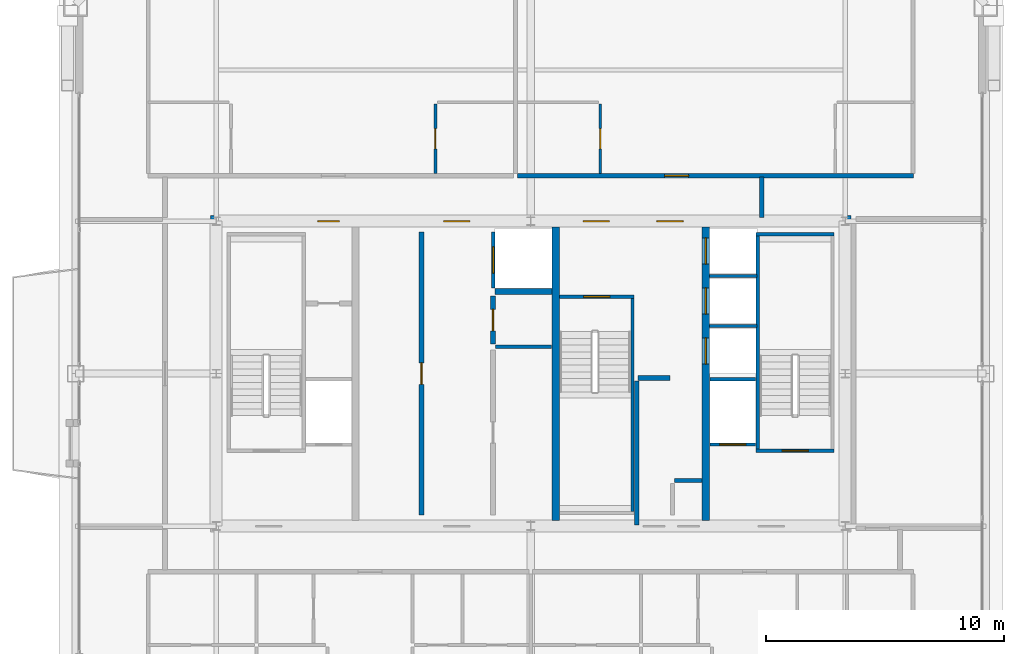
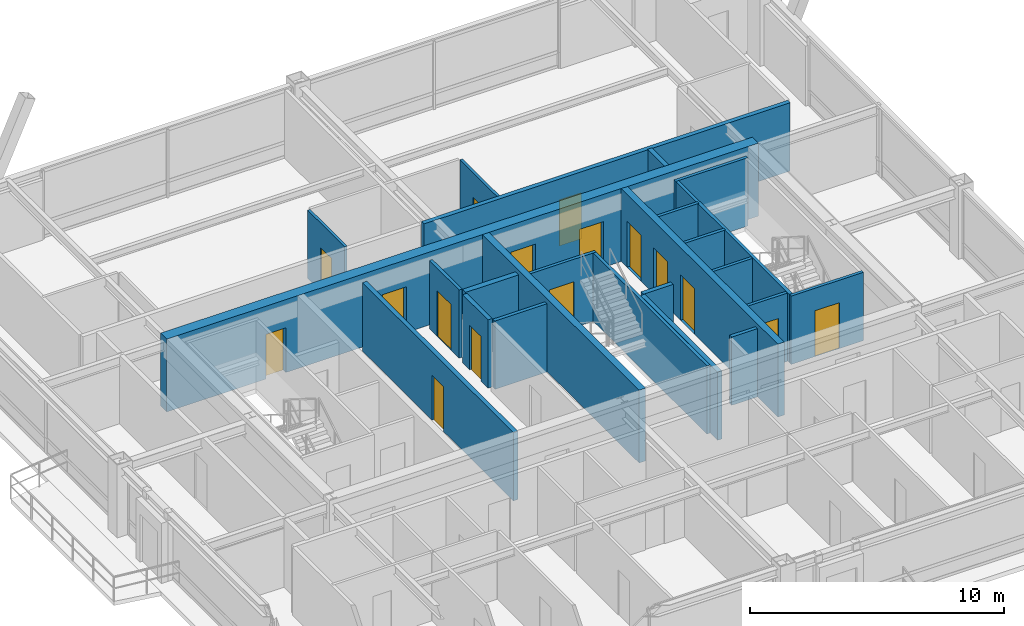
# One storey, part 30 of 33: 24 walls, 16 doors, 16 openings.
"""IFC4 building model written with IfcOpenShell, lengths in metres."""

from ifc_helpers import new_model, si_unit, direction, frame, frame_2d, origin, place, context, subcontext, project, spatial, rectangle, extrude, source, transform, mapped, material, layer, layer_set, type_object, element, fill, save


model = new_model("IFC4")

# Units and contexts
model_context = context("Model", 3, precision=1e-05, world=origin(), true_north=direction((0.0, 1.0)))
body_context = subcontext(model_context, "Body", "Model", "MODEL_VIEW")
ifc_project = project(units=[si_unit("LENGTHUNIT", "METRE"), si_unit("AREAUNIT", "SQUARE_METRE"), si_unit("VOLUMEUNIT", "CUBIC_METRE"), si_unit("PLANEANGLEUNIT", "RADIAN"), si_unit("MASSUNIT", "GRAM", prefix="KILO"), si_unit("THERMODYNAMICTEMPERATUREUNIT", "KELVIN"), si_unit("POWERUNIT", "WATT")], contexts=[model_context])

# Site, building, storey
site_placement = place(None, origin())
site = spatial("IfcSite", under=ifc_project, at=site_placement, CompositionType="ELEMENT")
building_placement = place(site_placement, origin())
building = spatial("IfcBuilding", under=site, at=building_placement, Name="Yuzanri Waterfront Tower", CompositionType="ELEMENT")
storey_placement = place(building_placement, frame((0.0, 0.0, 321.699951171875)))
storey = spatial("IfcBuildingStorey", under=building, at=storey_placement, Name="L86", CompositionType="ELEMENT", Elevation=321.699951171875)

# Wall, opening, door
ifc_material_1 = material(Name="Moisture-Resistant Gypsum Stud Wall", Category="gypsum")
ifc_layer_1 = layer(ifc_material_1, 0.1201171875)
ifc_layer_set_1 = layer_set([ifc_layer_1], Name="Moisture-Resistant Gypsum Stud Wall")
wall_type_1 = type_object("IfcWallType", Name="Bathroom and Kitchen Wet Partition 120", PredefinedType="PARTITIONING", material=ifc_layer_set_1)
wall_1_placement = place(storey_placement, frame((32.998046875, 34.2099609375, 0.0), z_axis=(0.0, 0.0, 1.0), x_axis=(0.0, 1.0, 0.0)))
wall_1 = element("IfcWall", 1, at=wall_1_placement, inside=storey, type_object=wall_type_1, Name="L86 Partition UW-L86-HN1-SUB-2-W", PredefinedType="PARTITIONING", context=body_context, shape_type="SweptSolid", body=[
    extrude(rectangle(XDim=2.900146484375, YDim=0.1201171875, at=frame_2d((1.4501953125, 0.0))), origin(), (0.0, 0.0, 1.0), 3.280029296875),
])
opening_1_placement = place(wall_1_placement, frame((1.02490234375, 0.0, 0.0)))
opening_1 = element("IfcOpeningElement", 2, at=opening_1_placement, cuts=wall_1, Name="Opening ID-0850", PredefinedType="OPENING", context=body_context, shape_type="SweptSolid", body=[
    extrude(rectangle(XDim=0.85009765625, YDim=2.10009765625, at=frame_2d((0.425048828125, 1.050048828125))), frame((0.0, 0.074951171875, 0.0), z_axis=(0.0, -1.0, 0.0), x_axis=(1.0, 0.0, 0.0)), (0.0, 0.0, 1.0), 0.14990234375),
])
ifc_material_2 = material(Name="Moisture-Resistant Lacquered Timber", Category="wood")
door_type_1 = type_object("IfcDoorType", Name="En-Suite Bathroom and Kitchen Swing Door 850x2100", OperationType="NOTDEFINED", PredefinedType="DOOR", material=ifc_material_2)
shared_shape_1 = source(origin(), body_context, "Body", "SweptSolid", [
    extrude(rectangle(XDim=0.85009765625, YDim=2.10009765625, at=frame_2d((0.425048828125, 1.050048828125))), frame((0.0, 0.02490234375, 0.0), z_axis=(0.0, -1.0, 0.0), x_axis=(1.0, 0.0, 0.0)), (0.0, 0.0, 1.0), 0.050048828125),
])
door_1_placement = place(opening_1_placement, origin())
door_1 = element("IfcDoor", 3, at=door_1_placement, inside=storey, type_object=door_type_1, Name="L86 Suite Interior Room Door", OperationType="SINGLE_SWING_RIGHT", OverallHeight=2.10009765625, OverallWidth=0.85009765625, PredefinedType="DOOR", context=body_context, shape_type="MappedRepresentation", body=[
    mapped(shared_shape_1, transform((0.0, 0.0, 0.0), scale=1.0)),
])
fill(opening_1, door_1)

wall_2_placement = place(storey_placement, frame((39.91796875, 34.2099609375, 0.0), z_axis=(0.0, 0.0, 1.0), x_axis=(0.0, 1.0, 0.0)))
wall_2 = element("IfcWall", 4, at=wall_2_placement, inside=storey, type_object=wall_type_1, Name="L86 Partition UW-L86-HN2-SUB-1-E", PredefinedType="PARTITIONING", context=body_context, shape_type="SweptSolid", body=[
    extrude(rectangle(XDim=2.900146484375, YDim=0.1201171875, at=frame_2d((1.4501953125, 0.0))), origin(), (0.0, 0.0, 1.0), 3.280029296875),
])
opening_2_placement = place(wall_2_placement, frame((1.02490234375, 0.0, 0.0)))
opening_2 = element("IfcOpeningElement", 5, at=opening_2_placement, cuts=wall_2, Name="Opening ID-0850", PredefinedType="OPENING", context=body_context, shape_type="SweptSolid", body=[
    extrude(rectangle(XDim=0.85009765625, YDim=2.10009765625, at=frame_2d((0.425048828125, 1.050048828125))), frame((0.0, 0.074951171875, 0.0), z_axis=(0.0, -1.0, 0.0), x_axis=(1.0, 0.0, 0.0)), (0.0, 0.0, 1.0), 0.14990234375),
])
door_2_placement = place(opening_2_placement, origin())
door_2 = element("IfcDoor", 6, at=door_2_placement, inside=storey, type_object=door_type_1, Name="L86 Suite Interior Room Door", OperationType="SINGLE_SWING_RIGHT", OverallHeight=2.10009765625, OverallWidth=0.85009765625, PredefinedType="DOOR", context=body_context, shape_type="MappedRepresentation", body=[
    mapped(shared_shape_1, transform((0.0, 0.0, 0.0), scale=1.0)),
])
fill(opening_2, door_2)

# Wall, openings, doors
ifc_material_3 = material(Name="Concrete C45", Category="concrete")
ifc_layer_2 = layer(ifc_material_3, 0.47998046875)
ifc_layer_set_2 = layer_set([ifc_layer_2], Name="Concrete C45")
wall_type_2 = type_object("IfcWallType", Name="Concrete C45 High-Rise Core Shear Wall 480", PredefinedType="SHEAR", material=ifc_layer_set_2)
wall_3_placement = place(storey_placement, frame((23.56005859375, 32.199951171875, 0.0), z_axis=(0.0, 0.0, 1.0), x_axis=(1.0, 0.0, 0.0)))
wall_3 = element("IfcWall", 7, at=wall_3_placement, inside=storey, type_object=wall_type_2, Name="L86 Core North Shear Wall", PredefinedType="SHEAR", context=body_context, shape_type="SweptSolid", body=[
    extrude(rectangle(XDim=26.8798828125, YDim=0.47998046875, at=frame_2d((13.43994140625, 0.0))), origin(), (0.0, 0.0, 1.0), 3.5),
])
opening_3_placement = place(wall_3_placement, frame((4.510009765625, 0.0, 0.0)))
opening_3 = element("IfcOpeningElement", 8, at=opening_3_placement, cuts=wall_3, Name="Opening FD-0900", PredefinedType="OPENING", context=body_context, shape_type="SweptSolid", body=[
    extrude(rectangle(XDim=0.89990234375, YDim=2.14990234375, at=frame_2d((0.449951171875, 1.074951171875))), frame((0.0, 0.2548828125, 0.0), z_axis=(0.0, -1.0, 0.0), x_axis=(1.0, 0.0, 0.0)), (0.0, 0.0, 1.0), 0.509765625),
])
opening_4_placement = place(wall_3_placement, frame((9.7900390625, 0.0, 0.0)))
opening_4 = element("IfcOpeningElement", 9, at=opening_4_placement, cuts=wall_3, Name="Opening FD-1100", PredefinedType="OPENING", context=body_context, shape_type="SweptSolid", body=[
    extrude(rectangle(XDim=1.10009765625, YDim=2.199951171875, at=frame_2d((0.550048828125, 1.10009765625))), frame((0.0, 0.2548828125, 0.0), z_axis=(0.0, -1.0, 0.0), x_axis=(1.0, 0.0, 0.0)), (0.0, 0.0, 1.0), 0.509765625),
])
opening_5_placement = place(wall_3_placement, frame((15.639892578125, 0.0, 0.0)))
opening_5 = element("IfcOpeningElement", 10, at=opening_5_placement, cuts=wall_3, Name="Opening FD-1100", PredefinedType="OPENING", context=body_context, shape_type="SweptSolid", body=[
    extrude(rectangle(XDim=1.10009765625, YDim=2.199951171875, at=frame_2d((0.550048828125, 1.10009765625))), frame((0.0, 0.2548828125, 0.0), z_axis=(0.0, -1.0, 0.0), x_axis=(1.0, 0.0, 0.0)), (0.0, 0.0, 1.0), 0.509765625),
])
opening_6_placement = place(wall_3_placement, frame((18.739990234375, 0.0, 0.0)))
opening_6 = element("IfcOpeningElement", 11, at=opening_6_placement, cuts=wall_3, Name="Opening FD-1100", PredefinedType="OPENING", context=body_context, shape_type="SweptSolid", body=[
    extrude(rectangle(XDim=1.10009765625, YDim=2.199951171875, at=frame_2d((0.550048828125, 1.10009765625))), frame((0.0, 0.2548828125, 0.0), z_axis=(0.0, -1.0, 0.0), x_axis=(1.0, 0.0, 0.0)), (0.0, 0.0, 1.0), 0.509765625),
])
ifc_material_4 = material(Name="Painted Galvanized Fire Steel", Category="steel")
door_type_2 = type_object("IfcDoorType", Name="Smoke-Proof Stair and Lobby Fire Door 1100x2200", OperationType="NOTDEFINED", PredefinedType="DOOR", material=ifc_material_4)
shared_shape_2 = source(origin(), body_context, "Body", "SweptSolid", [
    extrude(rectangle(XDim=1.10009765625, YDim=2.199951171875, at=frame_2d((0.550048828125, 1.10009765625))), frame((0.0, 0.02490234375, 0.0), z_axis=(0.0, -1.0, 0.0), x_axis=(1.0, 0.0, 0.0)), (0.0, 0.0, 1.0), 0.050048828125),
])
door_3_placement = place(opening_4_placement, origin())
door_3 = element("IfcDoor", 12, at=door_3_placement, inside=storey, type_object=door_type_2, Name="L86 Central Lift Lobby North Door", OperationType="SINGLE_SWING_LEFT", OverallHeight=2.199951171875, OverallWidth=1.10009765625, PredefinedType="DOOR", context=body_context, shape_type="MappedRepresentation", body=[
    mapped(shared_shape_2, transform((0.0, 0.0, 0.0), scale=1.0)),
])
fill(opening_4, door_3)
door_4_placement = place(opening_5_placement, origin())
door_4 = element("IfcDoor", 13, at=door_4_placement, inside=storey, type_object=door_type_2, Name="L86 North Stair Lobby Door", OperationType="SINGLE_SWING_RIGHT", OverallHeight=2.199951171875, OverallWidth=1.10009765625, PredefinedType="DOOR", context=body_context, shape_type="MappedRepresentation", body=[
    mapped(shared_shape_2, transform((0.0, 0.0, 0.0), scale=1.0)),
])
fill(opening_5, door_4)
door_5_placement = place(opening_6_placement, origin())
door_5 = element("IfcDoor", 14, at=door_5_placement, inside=storey, type_object=door_type_2, Name="L86 High-Rise Lift Lobby North Door", OperationType="SINGLE_SWING_LEFT", OverallHeight=2.199951171875, OverallWidth=1.10009765625, PredefinedType="DOOR", context=body_context, shape_type="MappedRepresentation", body=[
    mapped(shared_shape_2, transform((0.0, 0.0, 0.0), scale=1.0)),
])
fill(opening_6, door_5)
ifc_material_5 = material(Name="Painted Galvanized Fire Steel", Category="steel")
door_type_3 = type_object("IfcDoorType", Name="Riser and Service Room Fire Door 900x2150", OperationType="NOTDEFINED", PredefinedType="DOOR", material=ifc_material_5)
shared_shape_3 = source(origin(), body_context, "Body", "SweptSolid", [
    extrude(rectangle(XDim=0.89990234375, YDim=2.14990234375, at=frame_2d((0.449951171875, 1.074951171875))), frame((0.0, 0.02490234375, 0.0), z_axis=(0.0, -1.0, 0.0), x_axis=(1.0, 0.0, 0.0)), (0.0, 0.0, 1.0), 0.050048828125),
])
door_6_placement = place(opening_3_placement, origin())
door_6 = element("IfcDoor", 15, at=door_6_placement, inside=storey, type_object=door_type_3, Name="L86 Telecom Riser Door", OperationType="SINGLE_SWING_RIGHT", OverallHeight=2.14990234375, OverallWidth=0.89990234375, PredefinedType="DOOR", context=body_context, shape_type="MappedRepresentation", body=[
    mapped(shared_shape_3, transform((0.0, 0.0, 0.0), scale=1.0)),
])
fill(opening_3, door_6)

ifc_material_6 = material(Name="Concrete C50", Category="concrete")
ifc_layer_3 = layer(ifc_material_6, 0.300048828125)
ifc_layer_set_3 = layer_set([ifc_layer_3], Name="Concrete C50")
wall_type_3 = type_object("IfcWallType", Name="Concrete C50 Internal Core Shaft Structural Wall 300", PredefinedType="SOLIDWALL", material=ifc_layer_set_3)
wall_4_placement = place(storey_placement, frame((44.35009765625, 19.639892578125, 0.0), z_axis=(0.0, 0.0, 1.0), x_axis=(0.0, 1.0, 0.0)))
wall_4 = element("IfcWall", 16, at=wall_4_placement, inside=storey, type_object=wall_type_3, Name="L86 Core Internal Structural Web Wall 3", PredefinedType="SOLIDWALL", context=body_context, shape_type="SweptSolid", body=[
    extrude(rectangle(XDim=12.320068359375, YDim=0.300048828125, at=frame_2d((6.16015625, 0.0))), origin(), (0.0, 0.0, 1.0), 3.5),
])
opening_7_placement = place(wall_4_placement, frame((6.56005859375, 0.0, 0.0)))
opening_7 = element("IfcOpeningElement", 17, at=opening_7_placement, cuts=wall_4, Name="Opening LD-PL-09", PredefinedType="OPENING", context=body_context, shape_type="SweptSolid", body=[
    extrude(rectangle(XDim=1.10009765625, YDim=2.199951171875, at=frame_2d((0.550048828125, 1.10009765625))), frame((0.0, 0.1650390625, 0.0), z_axis=(0.0, -1.0, 0.0), x_axis=(1.0, 0.0, 0.0)), (0.0, 0.0, 1.0), 0.329833984375),
])
opening_8_placement = place(wall_4_placement, frame((8.659912109375, 0.0, 0.0)))
opening_8 = element("IfcOpeningElement", 18, at=opening_8_placement, cuts=wall_4, Name="Opening LD-PL-10", PredefinedType="OPENING", context=body_context, shape_type="SweptSolid", body=[
    extrude(rectangle(XDim=1.10009765625, YDim=2.199951171875, at=frame_2d((0.550048828125, 1.10009765625))), frame((0.0, 0.1650390625, 0.0), z_axis=(0.0, -1.0, 0.0), x_axis=(1.0, 0.0, 0.0)), (0.0, 0.0, 1.0), 0.329833984375),
])
opening_9_placement = place(wall_4_placement, frame((10.760009765625, 0.0, 0.0)))
opening_9 = element("IfcOpeningElement", 19, at=opening_9_placement, cuts=wall_4, Name="Opening LD-PL-11", PredefinedType="OPENING", context=body_context, shape_type="SweptSolid", body=[
    extrude(rectangle(XDim=1.10009765625, YDim=2.199951171875, at=frame_2d((0.550048828125, 1.10009765625))), frame((0.0, 0.1650390625, 0.0), z_axis=(0.0, -1.0, 0.0), x_axis=(1.0, 0.0, 0.0)), (0.0, 0.0, 1.0), 0.329833984375),
])
ifc_material_7 = material(Name="Brushed Bronze and Stainless Steel Cab", Category="steel")
door_type_4 = type_object("IfcDoorType", Name="Center-Parting Bronze Lift Landing Sliding Door 1100x2200", OperationType="NOTDEFINED", PredefinedType="DOOR", material=ifc_material_7)
shared_shape_4 = source(origin(), body_context, "Body", "SweptSolid", [
    extrude(rectangle(XDim=1.10009765625, YDim=2.199951171875, at=frame_2d((0.550048828125, 1.10009765625))), frame((0.0, 0.02490234375, 0.0), z_axis=(0.0, -1.0, 0.0), x_axis=(1.0, 0.0, 0.0)), (0.0, 0.0, 1.0), 0.050048828125),
])
door_7_placement = place(opening_7_placement, origin())
door_7 = element("IfcDoor", 20, at=door_7_placement, inside=storey, type_object=door_type_4, Name="L86 PL-09 Lift Landing Sliding Door", OperationType="SLIDING_TO_LEFT", OverallHeight=2.199951171875, OverallWidth=1.10009765625, PredefinedType="DOOR", context=body_context, shape_type="MappedRepresentation", body=[
    mapped(shared_shape_4, transform((0.0, 0.0, 0.0), scale=1.0)),
])
fill(opening_7, door_7)
door_8_placement = place(opening_8_placement, origin())
door_8 = element("IfcDoor", 21, at=door_8_placement, inside=storey, type_object=door_type_4, Name="L86 PL-10 Lift Landing Sliding Door", OperationType="SLIDING_TO_RIGHT", OverallHeight=2.199951171875, OverallWidth=1.10009765625, PredefinedType="DOOR", context=body_context, shape_type="MappedRepresentation", body=[
    mapped(shared_shape_4, transform((0.0, 0.0, 0.0), scale=1.0)),
])
fill(opening_8, door_8)
door_9_placement = place(opening_9_placement, origin())
door_9 = element("IfcDoor", 22, at=door_9_placement, inside=storey, type_object=door_type_4, Name="L86 PL-11 Lift Landing Sliding Door", OperationType="SLIDING_TO_LEFT", OverallHeight=2.199951171875, OverallWidth=1.10009765625, PredefinedType="DOOR", context=body_context, shape_type="MappedRepresentation", body=[
    mapped(shared_shape_4, transform((0.0, 0.0, 0.0), scale=1.0)),
])
fill(opening_9, door_9)

# Wall, opening, door
ifc_material_8 = material(Name="Concrete C40", Category="concrete")
ifc_layer_4 = layer(ifc_material_8, 0.139892578125)
ifc_layer_set_4 = layer_set([ifc_layer_4], Name="Concrete C40")
wall_type_4 = type_object("IfcWallType", Name="Core Stair Liner and Hoistway Shaft Wall 140", PredefinedType="SOLIDWALL", material=ifc_layer_set_4)
wall_5_placement = place(storey_placement, frame((44.52001953125, 22.830078125, 0.0), z_axis=(0.0, 0.0, 1.0), x_axis=(1.0, 0.0, 0.0)))
wall_5 = element("IfcWall", 23, at=wall_5_placement, inside=storey, type_object=wall_type_4, Name="L86 Lift FL-02 Front Shaft Wall", PredefinedType="SOLIDWALL", context=body_context, shape_type="SweptSolid", body=[
    extrude(rectangle(XDim=1.919921875, YDim=0.139892578125, at=frame_2d((0.9599609375, 0.0))), origin(), (0.0, 0.0, 1.0), 3.280029296875),
])
opening_10_placement = place(wall_5_placement, frame((0.409912109375, 0.0, 0.0)))
opening_10 = element("IfcOpeningElement", 24, at=opening_10_placement, cuts=wall_5, Name="Opening LD-FL-02", PredefinedType="OPENING", context=body_context, shape_type="SweptSolid", body=[
    extrude(rectangle(XDim=1.10009765625, YDim=2.199951171875, at=frame_2d((0.550048828125, 1.10009765625))), frame((0.0, 0.0849609375, 0.0), z_axis=(0.0, -1.0, 0.0), x_axis=(1.0, 0.0, 0.0)), (0.0, 0.0, 1.0), 0.169677734375),
])
door_10_placement = place(opening_10_placement, origin())
door_10 = element("IfcDoor", 25, at=door_10_placement, inside=storey, type_object=door_type_4, Name="L86 FL-02 Lift Landing Sliding Door", OperationType="SLIDING_TO_RIGHT", OverallHeight=2.199951171875, OverallWidth=1.10009765625, PredefinedType="DOOR", context=body_context, shape_type="MappedRepresentation", body=[
    mapped(shared_shape_4, transform((0.0, 0.0, 0.0), scale=1.0)),
])
fill(opening_10, door_10)

wall_6_placement = place(storey_placement, frame((35.429931640625, 29.39990234375, 0.0), z_axis=(0.0, 0.0, 1.0), x_axis=(0.0, 1.0, 0.0)))
wall_6 = element("IfcWall", 26, at=wall_6_placement, inside=storey, type_object=wall_type_4, Name="L86 Lift SL-02 Front Shaft Wall", PredefinedType="SOLIDWALL", context=body_context, shape_type="SweptSolid", body=[
    extrude(rectangle(XDim=2.340087890625, YDim=0.139892578125, at=frame_2d((1.169921875, 0.0))), origin(), (0.0, 0.0, 1.0), 3.280029296875),
])
opening_11_placement = place(wall_6_placement, frame((0.6201171875, 0.0, 0.0)))
opening_11 = element("IfcOpeningElement", 27, at=opening_11_placement, cuts=wall_6, Name="Opening LD-SL-02", PredefinedType="OPENING", context=body_context, shape_type="SweptSolid", body=[
    extrude(rectangle(XDim=1.10009765625, YDim=2.199951171875, at=frame_2d((0.550048828125, 1.10009765625))), frame((0.0, 0.0849609375, 0.0), z_axis=(0.0, -1.0, 0.0), x_axis=(1.0, 0.0, 0.0)), (0.0, 0.0, 1.0), 0.169677734375),
])
door_11_placement = place(opening_11_placement, origin())
door_11 = element("IfcDoor", 28, at=door_11_placement, inside=storey, type_object=door_type_4, Name="L86 SL-02 Lift Landing Sliding Door", OperationType="SLIDING_TO_RIGHT", OverallHeight=2.199951171875, OverallWidth=1.10009765625, PredefinedType="DOOR", context=body_context, shape_type="MappedRepresentation", body=[
    mapped(shared_shape_4, transform((0.0, 0.0, 0.0), scale=1.0)),
])
fill(opening_11, door_11)

wall_7_placement = place(storey_placement, frame((46.4599609375, 22.570068359375, 0.0), z_axis=(0.0, 0.0, 1.0), x_axis=(1.0, 0.0, 0.0)))
wall_7 = element("IfcWall", 29, at=wall_7_placement, inside=storey, type_object=wall_type_4, Name="L86 Shaft Wall STW-L86-ST-02-S", PredefinedType="SOLIDWALL", context=body_context, shape_type="SweptSolid", body=[
    extrude(rectangle(XDim=3.280029296875, YDim=0.139892578125, at=frame_2d((1.64013671875, 0.0))), origin(), (0.0, 0.0, 1.0), 3.280029296875),
])
opening_12_placement = place(wall_7_placement, frame((1.090087890625, 0.0, 0.0)))
opening_12 = element("IfcOpeningElement", 30, at=opening_12_placement, cuts=wall_7, Name="Opening FD-1100", PredefinedType="OPENING", context=body_context, shape_type="SweptSolid", body=[
    extrude(rectangle(XDim=1.10009765625, YDim=2.199951171875, at=frame_2d((0.550048828125, 1.10009765625))), frame((0.0, 0.0849609375, 0.0), z_axis=(0.0, -1.0, 0.0), x_axis=(1.0, 0.0, 0.0)), (0.0, 0.0, 1.0), 0.169677734375),
])
door_12_placement = place(opening_12_placement, origin())
door_12 = element("IfcDoor", 31, at=door_12_placement, inside=storey, type_object=door_type_2, Name="L86 Stair ST-02 Fire Door", OperationType="SINGLE_SWING_LEFT", OverallHeight=2.199951171875, OverallWidth=1.10009765625, PredefinedType="DOOR", context=body_context, shape_type="MappedRepresentation", body=[
    mapped(shared_shape_2, transform((0.0, 0.0, 0.0), scale=1.0)),
])
fill(opening_12, door_12)

wall_8_placement = place(storey_placement, frame((38.199951171875, 29.030029296875, 0.0), z_axis=(0.0, 0.0, 1.0), x_axis=(1.0, 0.0, 0.0)))
wall_8 = element("IfcWall", 32, at=wall_8_placement, inside=storey, type_object=wall_type_4, Name="L86 Shaft Wall STW-L86-ST-03-N", PredefinedType="SOLIDWALL", context=body_context, shape_type="SweptSolid", body=[
    extrude(rectangle(XDim=3.14013671875, YDim=0.139892578125, at=frame_2d((1.570068359375, 0.0))), origin(), (0.0, 0.0, 1.0), 3.280029296875),
])
opening_13_placement = place(wall_8_placement, frame((1.02001953125, 0.0, 0.0)))
opening_13 = element("IfcOpeningElement", 33, at=opening_13_placement, cuts=wall_8, Name="Opening FD-1100", PredefinedType="OPENING", context=body_context, shape_type="SweptSolid", body=[
    extrude(rectangle(XDim=1.10009765625, YDim=2.199951171875, at=frame_2d((0.550048828125, 1.10009765625))), frame((0.0, 0.0849609375, 0.0), z_axis=(0.0, -1.0, 0.0), x_axis=(1.0, 0.0, 0.0)), (0.0, 0.0, 1.0), 0.169677734375),
])
door_13_placement = place(opening_13_placement, origin())
door_13 = element("IfcDoor", 34, at=door_13_placement, inside=storey, type_object=door_type_2, Name="L86 Stair ST-03 Fire Door", OperationType="SINGLE_SWING_RIGHT", OverallHeight=2.199951171875, OverallWidth=1.10009765625, PredefinedType="DOOR", context=body_context, shape_type="MappedRepresentation", body=[
    mapped(shared_shape_2, transform((0.0, 0.0, 0.0), scale=1.0)),
])
fill(opening_13, door_13)

ifc_material_9 = material(Name="Autoclaved Aerated Concrete Blockwork", Category="masonry")
ifc_layer_5 = layer(ifc_material_9, 0.199951171875)
ifc_layer_set_5 = layer_set([ifc_layer_5], Name="Autoclaved Aerated Concrete Blockwork")
wall_type_5 = type_object("IfcWallType", Name="Corridor and Unit Party Fire Wall 200", PredefinedType="PARTITIONING", material=ifc_layer_set_5)
wall_9_placement = place(storey_placement, frame((32.419921875, 19.860107421875, 0.0), z_axis=(0.0, 0.0, 1.0), x_axis=(0.0, 1.0, 0.0)))
wall_9 = element("IfcWall", 35, at=wall_9_placement, inside=storey, type_object=wall_type_5, Name="L86 Partition CRW-L86-B1R-1", PredefinedType="PARTITIONING", context=body_context, shape_type="SweptSolid", body=[
    extrude(rectangle(XDim=11.8798828125, YDim=0.199951171875, at=frame_2d((5.93994140625, 0.0))), origin(), (0.0, 0.0, 1.0), 3.280029296875),
])
opening_14_placement = place(wall_9_placement, frame((5.489990234375, 0.0, 0.0)))
opening_14 = element("IfcOpeningElement", 36, at=opening_14_placement, cuts=wall_9, Name="Opening FD-0900", PredefinedType="OPENING", context=body_context, shape_type="SweptSolid", body=[
    extrude(rectangle(XDim=0.89990234375, YDim=2.14990234375, at=frame_2d((0.449951171875, 1.074951171875))), frame((0.0, 0.11474609375, 0.0), z_axis=(0.0, -1.0, 0.0), x_axis=(1.0, 0.0, 0.0)), (0.0, 0.0, 1.0), 0.229736328125),
])
door_14_placement = place(opening_14_placement, origin())
door_14 = element("IfcDoor", 37, at=door_14_placement, inside=storey, type_object=door_type_3, Name="L86 Private Store Room", OperationType="SINGLE_SWING_LEFT", OverallHeight=2.14990234375, OverallWidth=0.89990234375, PredefinedType="DOOR", context=body_context, shape_type="MappedRepresentation", body=[
    mapped(shared_shape_3, transform((0.0, 0.0, 0.0), scale=1.0)),
])
fill(opening_14, door_14)

wall_10_placement = place(storey_placement, frame((35.419921875, 27.050048828125, 0.0), z_axis=(0.0, 0.0, 1.0), x_axis=(0.0, 1.0, 0.0)))
wall_10 = element("IfcWall", 38, at=wall_10_placement, inside=storey, type_object=wall_type_5, Name="L86 Partition CRW-L86-B2R-2", PredefinedType="PARTITIONING", context=body_context, shape_type="SweptSolid", body=[
    extrude(rectangle(XDim=2.0, YDim=0.199951171875, at=frame_2d((1.0, 0.0))), origin(), (0.0, 0.0, 1.0), 3.280029296875),
])
opening_15_placement = place(wall_10_placement, frame((0.550048828125, 0.0, 0.0)))
opening_15 = element("IfcOpeningElement", 39, at=opening_15_placement, cuts=wall_10, Name="Opening FD-0900", PredefinedType="OPENING", context=body_context, shape_type="SweptSolid", body=[
    extrude(rectangle(XDim=0.89990234375, YDim=2.14990234375, at=frame_2d((0.449951171875, 1.074951171875))), frame((0.0, 0.11474609375, 0.0), z_axis=(0.0, -1.0, 0.0), x_axis=(1.0, 0.0, 0.0)), (0.0, 0.0, 1.0), 0.229736328125),
])
door_15_placement = place(opening_15_placement, origin())
door_15 = element("IfcDoor", 40, at=door_15_placement, inside=storey, type_object=door_type_3, Name="L86 Service Duct Shaft", OperationType="SINGLE_SWING_LEFT", OverallHeight=2.14990234375, OverallWidth=0.89990234375, PredefinedType="DOOR", context=body_context, shape_type="MappedRepresentation", body=[
    mapped(shared_shape_3, transform((0.0, 0.0, 0.0), scale=1.0)),
])
fill(opening_15, door_15)

wall_11_placement = place(storey_placement, frame((36.43798828125, 34.110107421875, 0.0), z_axis=(0.0, 0.0, 1.0), x_axis=(1.0, 0.0, 0.0)))
wall_11 = element("IfcWall", 41, at=wall_11_placement, inside=storey, type_object=wall_type_5, Name="L86 Partition UW-L86-HN2-CS", PredefinedType="PARTITIONING", context=body_context, shape_type="SweptSolid", body=[
    extrude(rectangle(XDim=16.6220703125, YDim=0.199951171875, at=frame_2d((8.31103515625, 0.0))), origin(), (0.0, 0.0, 1.0), 3.280029296875),
])
opening_16_placement = place(wall_11_placement, frame((6.18603515625, 0.0, 0.0)))
opening_16 = element("IfcOpeningElement", 42, at=opening_16_placement, cuts=wall_11, Name="Opening FD-1000", PredefinedType="OPENING", context=body_context, shape_type="SweptSolid", body=[
    extrude(rectangle(XDim=1.0, YDim=2.199951171875, at=frame_2d((0.5, 1.10009765625))), frame((0.0, 0.11474609375, 0.0), z_axis=(0.0, -1.0, 0.0), x_axis=(1.0, 0.0, 0.0)), (0.0, 0.0, 1.0), 0.229736328125),
])
ifc_material_10 = material(Name="Engineered Oak Fire-Rated Timber", Category="wood")
door_type_5 = type_object("IfcDoorType", Name="Guestroom and Apartment Entrance Fire Door 1000x2200", OperationType="NOTDEFINED", PredefinedType="DOOR", material=ifc_material_10)
shared_shape_5 = source(origin(), body_context, "Body", "SweptSolid", [
    extrude(rectangle(XDim=1.0, YDim=2.199951171875, at=frame_2d((0.5, 1.10009765625))), frame((0.0, 0.02490234375, 0.0), z_axis=(0.0, -1.0, 0.0), x_axis=(1.0, 0.0, 0.0)), (0.0, 0.0, 1.0), 0.050048828125),
])
door_16_placement = place(opening_16_placement, origin())
door_16 = element("IfcDoor", 43, at=door_16_placement, inside=storey, type_object=door_type_5, Name="L86 Studio Living and Sleeping Room Entrance Door", OperationType="SINGLE_SWING_LEFT", OverallHeight=2.199951171875, OverallWidth=1.0, PredefinedType="DOOR", context=body_context, shape_type="MappedRepresentation", body=[
    mapped(shared_shape_5, transform((0.0, 0.0, 0.0), scale=1.0)),
])
fill(opening_16, door_16)

# Walls
shared_shape_6 = source(origin(), body_context, "Body", "SweptSolid", [
    extrude(rectangle(XDim=12.320068359375, YDim=0.300048828125, at=frame_2d((6.16015625, 0.0))), origin(), (0.0, 0.0, 1.0), 3.5),
])
wall_12_placement = place(storey_placement, frame((38.050048828125, 19.639892578125, 0.0), z_axis=(0.0, 0.0, 1.0), x_axis=(0.0, 1.0, 0.0)))
element("IfcWall", 44, at=wall_12_placement, inside=storey, type_object=wall_type_3, Name="L86 Core Internal Structural Web Wall 2", PredefinedType="SOLIDWALL", context=body_context, shape_type="MappedRepresentation", body=[
    mapped(shared_shape_6, transform((0.0, 0.0, 0.0), scale=1.0)),
])
shared_shape_7 = source(origin(), body_context, "Body", "SweptSolid", [
    extrude(rectangle(XDim=1.919921875, YDim=0.139892578125, at=frame_2d((0.9599609375, 0.0))), origin(), (0.0, 0.0, 1.0), 3.280029296875),
])
wall_13_placement = place(storey_placement, frame((44.52001953125, 25.570068359375, 0.0), z_axis=(0.0, 0.0, 1.0), x_axis=(1.0, 0.0, 0.0)))
element("IfcWall", 45, at=wall_13_placement, inside=storey, type_object=wall_type_4, Name="L86 Lift FL-02 Back Shaft Wall", PredefinedType="SOLIDWALL", context=body_context, shape_type="MappedRepresentation", body=[
    mapped(shared_shape_7, transform((0.0, 0.0, 0.0), scale=1.0)),
])
ifc_material_11 = material(Name="Concrete C40", Category="concrete")
ifc_layer_6 = layer(ifc_material_11, 0.25)
ifc_layer_set_6 = layer_set([ifc_layer_6], Name="Concrete C40")
wall_type_6 = type_object("IfcWallType", Name="Smoke-Proof Stair and Lift Shaft Wall 250", PredefinedType="SOLIDWALL", material=ifc_layer_set_6)
shared_shape_8 = source(origin(), body_context, "Body", "SweptSolid", [
    extrude(rectangle(XDim=2.39990234375, YDim=0.25, at=frame_2d((1.199951171875, 0.0))), origin(), (0.0, 0.0, 1.0), 3.280029296875),
])
wall_14_placement = place(storey_placement, frame((35.5, 29.25, 0.0), z_axis=(0.0, 0.0, 1.0), x_axis=(1.0, 0.0, 0.0)))
element("IfcWall", 46, at=wall_14_placement, inside=storey, type_object=wall_type_6, Name="L86 Lift SL-02 South Shaft Wall", PredefinedType="SOLIDWALL", context=body_context, shape_type="MappedRepresentation", body=[
    mapped(shared_shape_8, transform((0.0, 0.0, 0.0), scale=1.0)),
])
shared_shape_9 = source(origin(), body_context, "Body", "SweptSolid", [
    extrude(rectangle(XDim=2.0, YDim=0.139892578125, at=frame_2d((1.0, 0.0))), origin(), (0.0, 0.0, 1.0), 3.280029296875),
])
for number, where, z_axis, x_axis, name in (
    (47, (44.5, 27.800048828125, 0.0), (0.0, 0.0, 1.0), (1.0, 0.0, 0.0), "L86 Lift PL-09 Divider Wall"),
    (48, (44.5, 29.89990234375, 0.0), (0.0, 0.0, 1.0), (1.0, 0.0, 0.0), "L86 Lift PL-10 Divider Wall"),
):
    element("IfcWall", number, at=place(storey_placement, frame(where, z_axis=z_axis, x_axis=x_axis)), inside=storey, type_object=wall_type_4, Name=name, PredefinedType="SOLIDWALL", context=body_context, shape_type="MappedRepresentation", body=[
        mapped(shared_shape_9, transform((0.0, 0.0, 0.0), scale=1.0)),
    ])
shared_shape_10 = source(origin(), body_context, "Body", "SweptSolid", [
    extrude(rectangle(XDim=3.280029296875, YDim=0.139892578125, at=frame_2d((1.64013671875, 0.0))), origin(), (0.0, 0.0, 1.0), 3.280029296875),
])
wall_15_placement = place(storey_placement, frame((46.4599609375, 31.64990234375, 0.0), z_axis=(0.0, 0.0, 1.0), x_axis=(1.0, 0.0, 0.0)))
element("IfcWall", 49, at=wall_15_placement, inside=storey, type_object=wall_type_4, Name="L86 Stair ST-02 North Shaft Wall", PredefinedType="SOLIDWALL", context=body_context, shape_type="MappedRepresentation", body=[
    mapped(shared_shape_10, transform((0.0, 0.0, 0.0), scale=1.0)),
])
shared_shape_11 = source(origin(), body_context, "Body", "SweptSolid", [
    extrude(rectangle(XDim=8.940185546875, YDim=0.139892578125, at=frame_2d((4.47021484375, 0.0))), origin(), (0.0, 0.0, 1.0), 3.280029296875),
])
wall_16_placement = place(storey_placement, frame((46.530029296875, 22.639892578125, 0.0), z_axis=(0.0, 0.0, 1.0), x_axis=(0.0, 1.0, 0.0)))
element("IfcWall", 50, at=wall_16_placement, inside=storey, type_object=wall_type_4, Name="L86 Stair ST-02 West Shaft Wall", PredefinedType="SOLIDWALL", context=body_context, shape_type="MappedRepresentation", body=[
    mapped(shared_shape_11, transform((0.0, 0.0, 0.0), scale=1.0)),
])
shared_shape_12 = source(origin(), body_context, "Body", "SweptSolid", [
    extrude(rectangle(XDim=8.93994140625, YDim=0.139892578125, at=frame_2d((4.469970703125, 0.0))), origin(), (0.0, 0.0, 1.0), 3.280029296875),
])
wall_17_placement = place(storey_placement, frame((41.27001953125, 20.02001953125, 0.0), z_axis=(0.0, 0.0, 1.0), x_axis=(0.0, 1.0, 0.0)))
element("IfcWall", 51, at=wall_17_placement, inside=storey, type_object=wall_type_4, Name="L86 Stair ST-03 East Shaft Wall", PredefinedType="SOLIDWALL", context=body_context, shape_type="MappedRepresentation", body=[
    mapped(shared_shape_12, transform((0.0, 0.0, 0.0), scale=1.0)),
])
ifc_material_12 = material(Name="Gypsum Fireboard Acoustic Stud Wall", Category="gypsum")
ifc_layer_7 = layer(ifc_material_12, 0.159912109375)
ifc_layer_set_7 = layer_set([ifc_layer_7], Name="Gypsum Fireboard Acoustic Stud Wall")
wall_type_7 = type_object("IfcWallType", Name="Acoustic Suite Demising Partition 160", PredefinedType="PARTITIONING", material=ifc_layer_set_7)
shared_shape_13 = source(origin(), body_context, "Body", "SweptSolid", [
    extrude(rectangle(XDim=1.169921875, YDim=0.159912109375, at=frame_2d((0.5849609375, 0.0))), origin(), (0.0, 0.0, 1.0), 3.280029296875),
])
wall_18_placement = place(storey_placement, frame((43.030029296875, 21.320068359375, 0.0), z_axis=(0.0, 0.0, 1.0), x_axis=(1.0, 0.0, 0.0)))
element("IfcWall", 52, at=wall_18_placement, inside=storey, type_object=wall_type_7, Name="L86 East Wet Riser North Wall", PredefinedType="PARTITIONING", context=body_context, shape_type="MappedRepresentation", body=[
    mapped(shared_shape_13, transform((0.0, 0.0, 0.0), scale=1.0)),
])
shared_shape_14 = source(origin(), body_context, "Body", "SweptSolid", [
    extrude(rectangle(XDim=2.35986328125, YDim=0.159912109375, at=frame_2d((1.179931640625, 0.0))), origin(), (0.0, 0.0, 1.0), 3.280029296875),
])
wall_19_placement = place(storey_placement, frame((35.52001953125, 26.929931640625, 0.0), z_axis=(0.0, 0.0, 1.0), x_axis=(1.0, 0.0, 0.0)))
element("IfcWall", 53, at=wall_19_placement, inside=storey, type_object=wall_type_7, Name="L86 Reclaimed High-Zone Divider 2", PredefinedType="PARTITIONING", context=body_context, shape_type="MappedRepresentation", body=[
    mapped(shared_shape_14, transform((0.0, 0.0, 0.0), scale=1.0)),
])
shared_shape_15 = source(origin(), body_context, "Body", "SweptSolid", [
    extrude(rectangle(XDim=6.06005859375, YDim=0.199951171875, at=frame_2d((3.030029296875, 0.0))), origin(), (0.0, 0.0, 1.0), 3.280029296875),
])
wall_20_placement = place(storey_placement, frame((41.449951171875, 19.43994140625, 0.0), z_axis=(0.0, 0.0, 1.0), x_axis=(0.0, 1.0, 0.0)))
element("IfcWall", 54, at=wall_20_placement, inside=storey, type_object=wall_type_5, Name="L86 Core BOH West Wall 1", PredefinedType="PARTITIONING", context=body_context, shape_type="MappedRepresentation", body=[
    mapped(shared_shape_15, transform((0.0, 0.0, 0.0), scale=1.0)),
])
shared_shape_16 = source(origin(), body_context, "Body", "SweptSolid", [
    extrude(rectangle(XDim=1.35009765625, YDim=0.199951171875, at=frame_2d((0.675048828125, 0.0))), origin(), (0.0, 0.0, 1.0), 3.280029296875),
])
wall_21_placement = place(storey_placement, frame((41.5, 25.6201171875, 0.0), z_axis=(0.0, 0.0, 1.0), x_axis=(1.0, 0.0, 0.0)))
element("IfcWall", 55, at=wall_21_placement, inside=storey, type_object=wall_type_5, Name="L86 Core BOH Split Wall 1", PredefinedType="PARTITIONING", context=body_context, shape_type="MappedRepresentation", body=[
    mapped(shared_shape_16, transform((0.0, 0.0, 0.0), scale=1.0)),
])
shared_shape_17 = source(origin(), body_context, "Body", "SweptSolid", [
    extrude(rectangle(XDim=1.699951171875, YDim=0.199951171875, at=frame_2d((0.85009765625, 0.0))), origin(), (0.0, 0.0, 1.0), 3.280029296875),
])
wall_22_placement = place(storey_placement, frame((46.699951171875, 32.35009765625, 0.0), z_axis=(0.0, 0.0, 1.0), x_axis=(0.0, 1.0, 0.0)))
element("IfcWall", 56, at=wall_22_placement, inside=storey, type_object=wall_type_5, Name="L86 North Foyer East End Wall", PredefinedType="PARTITIONING", context=body_context, shape_type="MappedRepresentation", body=[
    mapped(shared_shape_17, transform((0.0, 0.0, 0.0), scale=1.0)),
])

save(model, "model.ifc")
